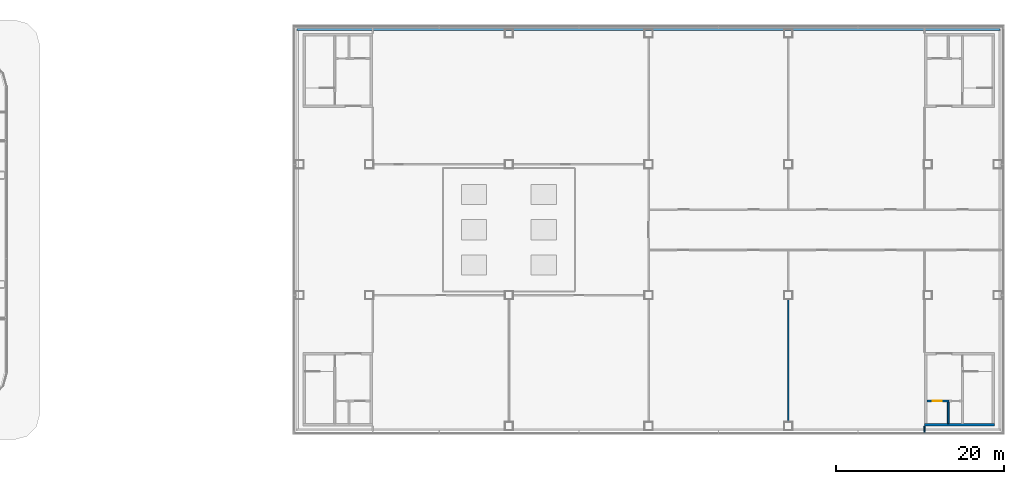
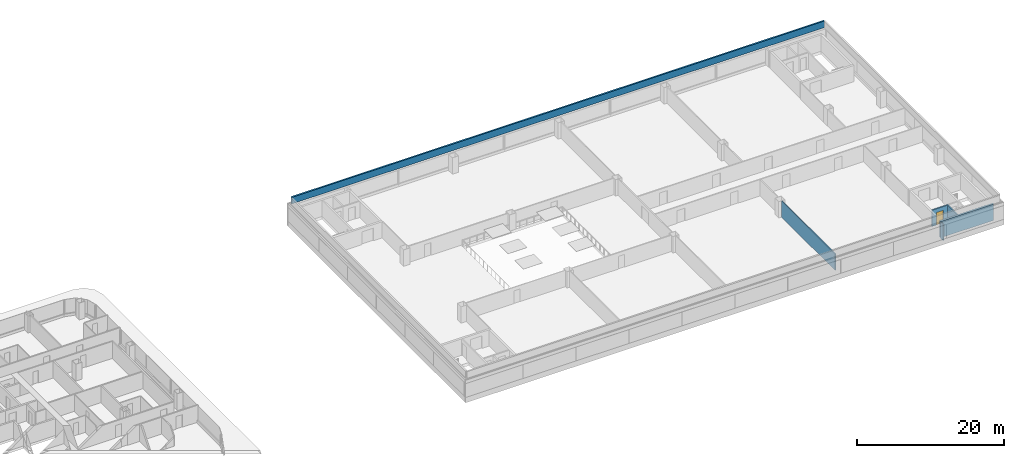
# One storey, part 31 of 42: 6 walls, 1 door, 1 opening.
"""IFC4 building model written with IfcOpenShell, lengths in metres."""

from ifc_helpers import new_model, si_unit, direction, frame, frame_2d, origin, place, context, subcontext, project, spatial, rectangle, extrude, material, layer, layer_set, type_object, element, fill, save


model = new_model("IFC4")

# Units and contexts
model_context = context("Model", 3, precision=1e-05, world=origin(), true_north=direction((0.0, 1.0)))
body_context = subcontext(model_context, "Body", "Model", "MODEL_VIEW")
ifc_project = project(units=[si_unit("LENGTHUNIT", "METRE"), si_unit("AREAUNIT", "SQUARE_METRE"), si_unit("VOLUMEUNIT", "CUBIC_METRE"), si_unit("PLANEANGLEUNIT", "RADIAN"), si_unit("MASSUNIT", "GRAM", prefix="KILO")], contexts=[model_context])

# Site, building, storey
site_placement = place(None, origin())
site = spatial("IfcSite", under=ifc_project, at=site_placement, CompositionType="ELEMENT")
building_placement = place(site_placement, origin())
building = spatial("IfcBuilding", under=site, at=building_placement, Name="Hakoniwa Tower and Hamabe Station Hall", CompositionType="ELEMENT")
storey_placement = place(building_placement, frame((0.0, 0.0, 19.800048828125)))
storey = spatial("IfcBuildingStorey", under=building, at=storey_placement, Name="L04", CompositionType="ELEMENT", Elevation=19.800048828125)

# Walls
ifc_material_1 = material(Name="Fire-rated gypsum board partition")
ifc_layer_1 = layer(ifc_material_1, 0.14990234375)
ifc_layer_set_1 = layer_set([ifc_layer_1], Name="FIRE PARTITION 150 EI 60")
wall_type_1 = type_object("IfcWallType", Name="FIRE PARTITION 150 EI 60", PredefinedType="PARTITIONING", material=ifc_layer_set_1)
wall_1_placement = place(storey_placement, frame((144.18994140625, -22.89990234375, 0.0), z_axis=(0.0, 0.0, 1.0), x_axis=(0.0, 1.0, 0.0)))
element("IfcWall", 1, at=wall_1_placement, inside=storey, type_object=wall_type_1, Name="Partition L04 11", PredefinedType="PARTITIONING", context=body_context, shape_type="SweptSolid", body=[
    extrude(rectangle(XDim=14.599853515625, YDim=0.14990234375, at=frame_2d((7.2998046875, 0.0))), origin(), (0.0, 0.0, 1.0), 2.699951171875),
])
wall_2_placement = place(storey_placement, frame((160.429931640625, -24.10009765625, 0.0), z_axis=(0.0, 0.0, 1.0), x_axis=(0.0, 1.0, 0.0)))
element("IfcWall", 2, at=wall_2_placement, inside=storey, type_object=wall_type_1, Name="Partition L04 13", PredefinedType="PARTITIONING", context=body_context, shape_type="SweptSolid", body=[
    extrude(rectangle(XDim=0.7001953125, YDim=0.14990234375, at=frame_2d((0.35009765625, 0.0))), origin(), (0.0, 0.0, 1.0), 2.699951171875),
])
ifc_material_2 = material(Name="Concrete C30", Category="concrete")
ifc_layer_2 = layer(ifc_material_2, 0.25)
ifc_layer_set_2 = layer_set([ifc_layer_2], Name="PARAPET WALL 250")
wall_type_2 = type_object("IfcWallType", Name="PARAPET WALL 250", PredefinedType="PARAPET", material=ifc_layer_set_2)
wall_3_placement = place(storey_placement, frame((169.425048828125, 23.875, 3.199951171875), z_axis=(0.0, 0.0, 1.0), x_axis=(-1.0, 0.0, 0.0)))
element("IfcWall", 3, at=wall_3_placement, inside=storey, type_object=wall_type_2, Name="Station roof parapet", PredefinedType="PARAPET", context=body_context, shape_type="SweptSolid", body=[
    extrude(rectangle(XDim=83.75, YDim=0.25, at=frame_2d((41.875, 0.0))), origin(), (0.0, 0.0, 1.0), 1.10009765625),
])
ifc_material_3 = material(Name="Concrete C60", Category="concrete")
ifc_layer_3 = layer(ifc_material_3, 0.199951171875)
ifc_layer_set_3 = layer_set([ifc_layer_3], Name="RC WALL 200 EI 60 C60")
wall_type_3 = type_object("IfcWallType", Name="RC WALL 200 EI 60 C60", PredefinedType="SHEAR", material=ifc_layer_set_3)
wall_4_placement = place(storey_placement, frame((163.25, -23.10009765625, 0.0), z_axis=(0.0, 0.0, 1.0), x_axis=(0.0, 1.0, 0.0)))
element("IfcWall", 4, at=wall_4_placement, inside=storey, type_object=wall_type_3, Name="Station hoistway wall SC4 L04", PredefinedType="SHEAR", context=body_context, shape_type="SweptSolid", body=[
    extrude(rectangle(XDim=2.60009765625, YDim=0.199951171875, at=frame_2d((1.300048828125, 0.0))), origin(), (0.0, 0.0, 1.0), 2.699951171875),
])

# Wall, opening, door
wall_5_placement = place(storey_placement, frame((163.35009765625, -20.39990234375, 0.0), z_axis=(0.0, 0.0, 1.0), x_axis=(-1.0, 0.0, 0.0)))
wall_5 = element("IfcWall", 5, at=wall_5_placement, inside=storey, type_object=wall_type_3, Name="Station hoistway front wall SC4 L04", PredefinedType="SHEAR", context=body_context, shape_type="SweptSolid", body=[
    extrude(rectangle(XDim=2.6201171875, YDim=0.199951171875, at=frame_2d((1.31005859375, 0.0))), origin(), (0.0, 0.0, 1.0), 2.699951171875),
])
opening_placement = place(wall_5_placement, frame((0.85009765625, 0.0, 0.0)))
opening = element("IfcOpeningElement", 6, at=opening_placement, cuts=wall_5, Name="Opening LD-SL4-L04", PredefinedType="OPENING", context=body_context, shape_type="SweptSolid", body=[
    extrude(rectangle(XDim=1.10009765625, YDim=2.10009765625, at=frame_2d((0.550048828125, 1.050048828125))), frame((0.0, 0.10986328125, 0.0), z_axis=(0.0, -1.0, 0.0), x_axis=(1.0, 0.0, 0.0)), (0.0, 0.0, 1.0), 0.219970703125),
])
ifc_material_4 = material(Name="Stainless steel SUS304", Category="steel")
door_type = type_object("IfcDoorType", Name="LIFT LANDING DOOR 1100X2100", OperationType="DOUBLE_DOOR_SLIDING", PredefinedType="DOOR", material=ifc_material_4)
door_placement = place(opening_placement, origin())
door = element("IfcDoor", 7, at=door_placement, inside=storey, type_object=door_type, Name="Lift landing door SL4 L04", OperationType="DOUBLE_DOOR_SLIDING", OverallHeight=2.10009765625, OverallWidth=1.10009765625, PredefinedType="DOOR", context=body_context, shape_type="SweptSolid", body=[
    extrude(rectangle(XDim=1.10009765625, YDim=2.10009765625, at=frame_2d((0.550048828125, 1.050048828125))), frame((0.0, 0.02490234375, 0.0), z_axis=(0.0, -1.0, 0.0), x_axis=(1.0, 0.0, 0.0)), (0.0, 0.0, 1.0), 0.050048828125),
])
fill(opening, door)

# Wall
ifc_material_5 = material(Name="Concrete C60", Category="concrete")
ifc_layer_4 = layer(ifc_material_5, 0.300048828125)
ifc_layer_set_4 = layer_set([ifc_layer_4], Name="RC WALL 300 EI 120 C60")
wall_type_4 = type_object("IfcWallType", Name="RC WALL 300 EI 120 C60", PredefinedType="SHEAR", material=ifc_layer_set_4)
wall_6_placement = place(storey_placement, frame((168.75, -23.25, 0.0), z_axis=(0.0, 0.0, 1.0), x_axis=(-1.0, 0.0, 0.0)))
element("IfcWall", 8, at=wall_6_placement, inside=storey, type_object=wall_type_4, Name="Station core wall SC4 outer-v L04", PredefinedType="SHEAR", context=body_context, shape_type="SweptSolid", body=[
    extrude(rectangle(XDim=8.320068359375, YDim=0.300048828125, at=frame_2d((4.16015625, 0.0))), origin(), (0.0, 0.0, 1.0), 2.699951171875),
])

save(model, "model.ifc")
